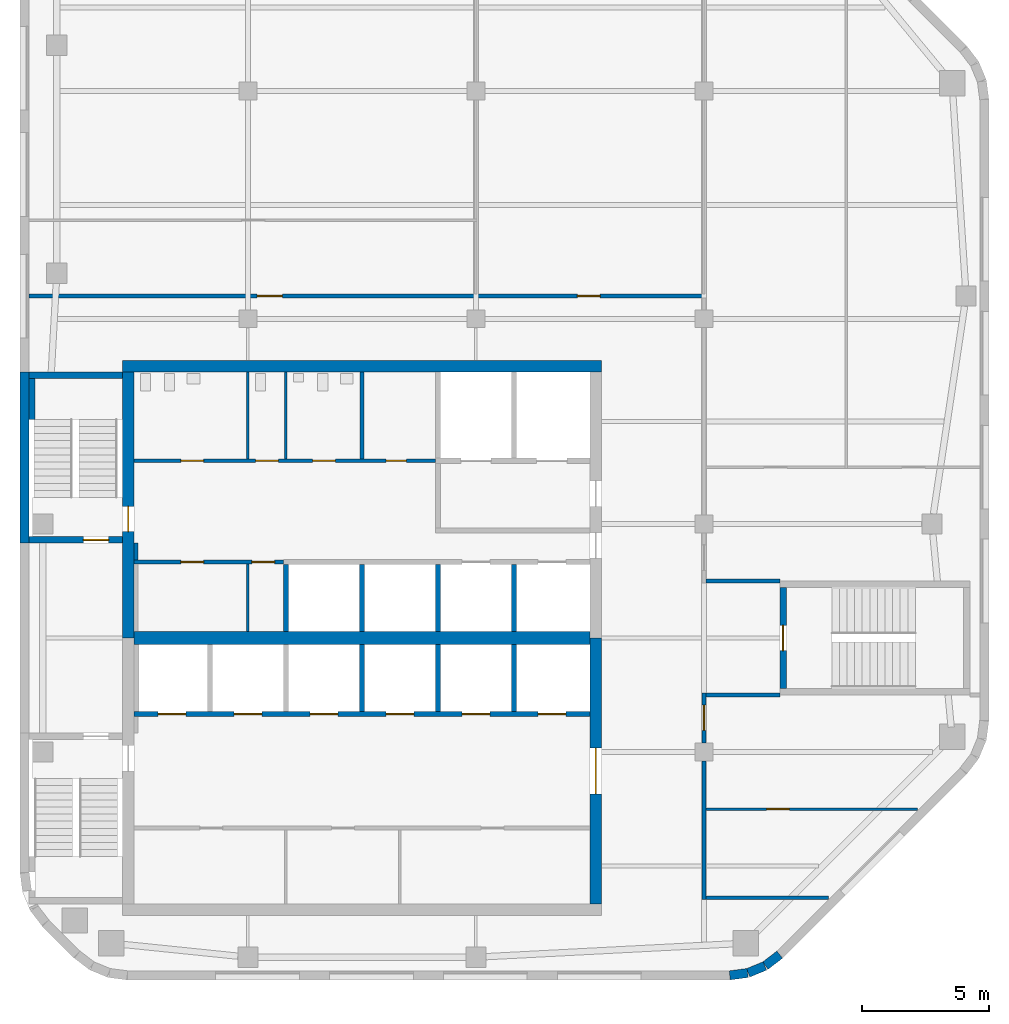
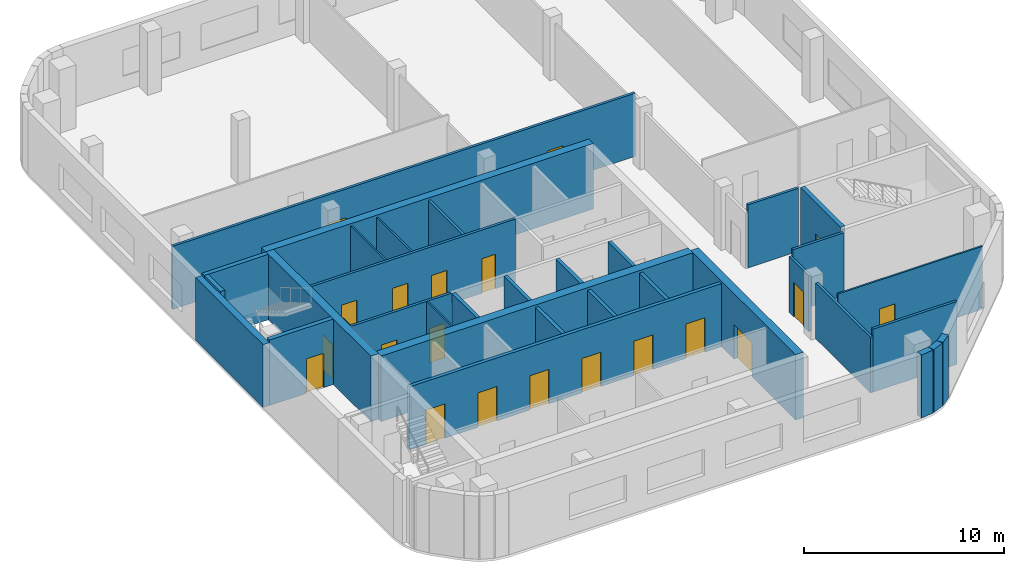
# One storey, part 3 of 7: 34 walls, 20 doors, 20 openings.
"""IFC4 building model written with IfcOpenShell, lengths in metres."""

import ifcopenshell
import ifcopenshell.guid

model = None  # the IFC model being written
_history = None  # IfcOwnerHistory: only IFC2X3 demands one
_inside = {}  # id of a spatial element -> (the spatial element, [elements in it])
_under = {}  # id of a project, library or spatial element -> (it, [spatial elements below it])
_declared = {}  # id of a project -> (the project, [libraries it declares])
_typed = {}  # id of a type object -> (the type object, [elements of that type])
_made_of = {}  # id of a material, layer set ... -> (it, [elements and type objects made of it])


def new_model(schema):
    """Start an empty IFC model of exactly this schema.

    Asked for "IFC4X3", IfcOpenShell would pick the latest addendum, in which some entities
    have other attributes; the version numbers below select the first issue.
    IFC2X3 requires an IfcOwnerHistory on every rooted entity: one is made here for all.
    """
    global model, _history
    if schema == "IFC4X3":
        model = ifcopenshell.file(schema_version=(4, 3, 0, 0))
    else:
        model = ifcopenshell.file(schema=schema)
    _inside.clear()
    _under.clear()
    _declared.clear()
    _typed.clear()
    _made_of.clear()
    _history = None
    if model.schema == "IFC2X3":
        org = make("IfcOrganization", Name="unknown")
        user = make(
            "IfcPersonAndOrganization",
            ThePerson=make("IfcPerson", FamilyName="unknown"),
            TheOrganization=org,
        )
        app = make(
            "IfcApplication",
            ApplicationDeveloper=org,
            Version="unknown",
            ApplicationFullName="unknown",
            ApplicationIdentifier="unknown",
        )
        _history = make(
            "IfcOwnerHistory",
            OwningUser=user,
            OwningApplication=app,
            ChangeAction="ADDED",
            CreationDate=0,
        )
    return model


def make(cls, **values):
    """One entity of the class cls with the attributes given. An attribute that is None is left unset."""
    return model.create_entity(
        cls, **{name: value for name, value in values.items() if value is not None}
    )


def rooted(cls, **values):
    """An entity with a GlobalId (a new one), such as an element, a storey or a relation."""
    return make(cls, GlobalId=ifcopenshell.guid.new(), OwnerHistory=_history, **values)


def si_unit(unit_type, name, prefix=None):
    """IfcSIUnit, for example si_unit("LENGTHUNIT", "METRE", prefix="MILLI")."""
    return make("IfcSIUnit", UnitType=unit_type, Prefix=prefix, Name=name)


def assignment(units):
    """IfcUnitAssignment: the units of a project."""
    return None if units is None else make("IfcUnitAssignment", Units=units)


def point(xyz):
    """IfcCartesianPoint."""
    return None if xyz is None else make("IfcCartesianPoint", Coordinates=xyz)


def direction(xyz):
    """IfcDirection."""
    return None if xyz is None else make("IfcDirection", DirectionRatios=xyz)


def frame(location, z_axis=None, x_axis=None):
    """IfcAxis2Placement3D, a coordinate frame: its origin and axes. An axis left out is left unset."""
    return make(
        "IfcAxis2Placement3D",
        Location=point(location),
        Axis=direction(z_axis),
        RefDirection=direction(x_axis),
    )


def frame_2d(location, x_axis=None):
    """IfcAxis2Placement2D, a coordinate frame in the plane: its origin and x axis."""
    return make(
        "IfcAxis2Placement2D", Location=point(location), RefDirection=direction(x_axis)
    )


def origin():
    """The frame at (0, 0, 0) with its axes left unset."""
    return frame((0.0, 0.0, 0.0))


def place(relative_to, where):
    """IfcLocalPlacement: puts the frame where relative to a parent placement (None: the world)."""
    return make(
        "IfcLocalPlacement", PlacementRelTo=relative_to, RelativePlacement=where
    )


def context(
    kind, dimensions, precision=None, world=None, true_north=None, identifier=None
):
    """IfcGeometricRepresentationContext, for example the 3D "Model" context."""
    return make(
        "IfcGeometricRepresentationContext",
        ContextIdentifier=identifier,
        ContextType=kind,
        CoordinateSpaceDimension=dimensions,
        Precision=precision,
        WorldCoordinateSystem=world,
        TrueNorth=true_north,
    )


def subcontext(parent, identifier, kind, view, scale=None):
    """IfcGeometricRepresentationSubContext, for example "Body" below "Model"."""
    return make(
        "IfcGeometricRepresentationSubContext",
        ContextIdentifier=identifier,
        ContextType=kind,
        ParentContext=parent,
        TargetScale=scale,
        TargetView=view,
    )


def project(units=None, contexts=None):
    """IfcProject with its units and contexts."""
    return rooted(
        "IfcProject",
        Name="project",
        RepresentationContexts=contexts,
        UnitsInContext=assignment(units),
    )


def spatial(cls, under=None, at=None, **own):
    """A site, building, storey or space (cls), placed at a placement, below another one or the project."""
    s = rooted(cls, ObjectPlacement=at, **own)
    if under is not None:
        _under.setdefault(under.id(), (under, []))[1].append(s)
    return s


def profile(cls, at=None, kind="AREA", **sizes):
    """A parametric profile (cls). Its sizes go by their IFC names, for example OverallWidth=200.0."""
    return make(cls, ProfileType=kind, Position=at, **sizes)


def rectangle(**sizes):
    """IfcRectangleProfileDef."""
    return profile("IfcRectangleProfileDef", **sizes)


def extrude(swept, where, along, depth):
    """IfcExtrudedAreaSolid: the profile swept, set in the frame where, extruded along a direction by depth."""
    return make(
        "IfcExtrudedAreaSolid",
        SweptArea=swept,
        Position=where,
        ExtrudedDirection=direction(along),
        Depth=depth,
    )


def shape(context_of_items, identifier, shape_type, items):
    """IfcShapeRepresentation: the items that make up one representation, for example the "Body"."""
    return make(
        "IfcShapeRepresentation",
        ContextOfItems=context_of_items,
        RepresentationIdentifier=identifier,
        RepresentationType=shape_type,
        Items=items,
    )


def material(Name=None, Category=None):
    """IfcMaterial."""
    return make("IfcMaterial", Name=Name, Category=Category)


def layer(
    of_material, thickness, ventilated=None, Name=None, Category=None, Priority=None
):
    """IfcMaterialLayer: one layer of a wall or slab, of a material (None: an air gap)."""
    return make(
        "IfcMaterialLayer",
        Material=of_material,
        LayerThickness=thickness,
        IsVentilated=ventilated,
        Name=Name,
        Category=Category,
        Priority=Priority,
    )


def layer_set(layers, Name=None):
    """IfcMaterialLayerSet."""
    return make("IfcMaterialLayerSet", MaterialLayers=layers, LayerSetName=Name)


def made_of(thing, what):
    """Note that an element or type object is made of a material, layer set ...; save() writes the relation."""
    if what is not None:
        _made_of.setdefault(what.id(), (what, []))[1].append(thing)
    return thing


def type_object(cls, material=None, **own):
    """A type object (cls), such as IfcWallType, which elements share."""
    return made_of(rooted(cls, **own), material)


def element(
    cls,
    number,
    at=None,
    inside=None,
    cuts=None,
    type_object=None,
    material=None,
    context=None,
    identifier="Body",
    shape_type=None,
    held_by="IfcProductDefinitionShape",
    body=None,
    shapes=None,
    **own,
):
    """One element of the class cls, such as IfcWall. Its Tag is "e" and its number.

    at: its placement. inside: the storey or other place that contains it. cuts: it is an
    opening in that element (IfcRelVoidsElement). A single representation is given by context,
    identifier, shape_type and body (its items); several are given by shapes. held_by: the class
    of the entity that holds the representations. save() writes the other relations.
    """
    e = rooted(cls, Tag="e%d" % number, ObjectPlacement=at, **own)
    if body is not None:
        shapes = [shape(context, identifier, shape_type, body)]
    if shapes is not None:
        e.Representation = make(held_by, Representations=shapes)
    if inside is not None:
        _inside.setdefault(inside.id(), (inside, []))[1].append(e)
    if cuts is not None:
        rooted(
            "IfcRelVoidsElement", RelatingBuildingElement=cuts, RelatedOpeningElement=e
        )
    if type_object is not None:
        _typed.setdefault(type_object.id(), (type_object, []))[1].append(e)
    return made_of(e, material)


def fill(opening, filler):
    """IfcRelFillsElement: the door or window that sits in an opening."""
    return rooted(
        "IfcRelFillsElement",
        RelatingOpeningElement=opening,
        RelatedBuildingElement=filler,
    )


def aggregate(whole, parts):
    """IfcRelAggregates: a whole, such as a stair, and the parts it consists of."""
    return rooted("IfcRelAggregates", RelatingObject=whole, RelatedObjects=parts)


def save(model, path):
    """Write the relations noted so far, then the file.

    IfcRelAggregates (storeys below a building ...), IfcRelContainedInSpatialStructure (elements
    in a storey), IfcRelDefinesByType, IfcRelAssociatesMaterial and IfcRelDeclares: one each for
    every whole, place, type object, material and project.
    """
    for whole, parts in _under.values():
        aggregate(whole, parts)
    for where, things in _inside.values():
        rooted(
            "IfcRelContainedInSpatialStructure",
            RelatedElements=things,
            RelatingStructure=where,
        )
    for kind, things in _typed.values():
        rooted("IfcRelDefinesByType", RelatedObjects=things, RelatingType=kind)
    for what, things in _made_of.values():
        rooted("IfcRelAssociatesMaterial", RelatedObjects=things, RelatingMaterial=what)
    for by, libraries in _declared.values():
        rooted("IfcRelDeclares", RelatingContext=by, RelatedDefinitions=libraries)
    model.write(path)


model = new_model("IFC4")

# Units and contexts
model_context = context("Model", 3, precision=1e-05, world=origin(), true_north=direction((0.0, 1.0)))
body_context = subcontext(model_context, "Body", "Model", "MODEL_VIEW")
ifc_project = project(units=[si_unit("LENGTHUNIT", "METRE"), si_unit("AREAUNIT", "SQUARE_METRE"), si_unit("VOLUMEUNIT", "CUBIC_METRE"), si_unit("PLANEANGLEUNIT", "RADIAN"), si_unit("MASSUNIT", "GRAM", prefix="KILO")], contexts=[model_context])

# Site, building, storey
site_placement = place(None, origin())
site = spatial("IfcSite", under=ifc_project, at=site_placement, CompositionType="ELEMENT")
building_placement = place(site_placement, origin())
building = spatial("IfcBuilding", under=site, at=building_placement, Name="Cinnabar Reach Civic Tower", CompositionType="ELEMENT")
storey_placement = place(building_placement, frame((0.0, 0.0, 251.0)))
storey = spatial("IfcBuildingStorey", under=building, at=storey_placement, Name="L60", CompositionType="ELEMENT", Elevation=251.0)

# Walls
ifc_material_1 = material(Name="Facing brick with insulated backing", Category="masonry")
ifc_layer_1 = layer(ifc_material_1, 0.36)
ifc_layer_set_1 = layer_set([ifc_layer_1], Name="Brick corner wall")
wall_type_1 = type_object("IfcWallType", Name="Brick corner wall", PredefinedType="STANDARD", material=ifc_layer_set_1)
for number, where, z_axis, x_axis, name in (
    (1, (28.0186, 18.183, 0.0), (0.0, 0.0, 1.0), (0.99144092581, 0.13055608231, 0.0), "Brick corner wall"),
    (2, (28.7473, 18.2819, 0.0), (0.0, 0.0, 1.0), (0.923871547278, 0.382702709855, 0.0), "Brick corner wall"),
):
    element("IfcWall", number, at=place(storey_placement, frame(where, z_axis=z_axis, x_axis=x_axis)), inside=storey, type_object=wall_type_1, Name=name, PredefinedType="STANDARD", context=body_context, shape_type="SweptSolid", body=[
        extrude(rectangle(XDim=0.7131, YDim=0.36, at=frame_2d((0.3565, 0.0))), origin(), (0.0, 0.0, 1.0), 3.85),
    ])
wall_1_placement = place(storey_placement, frame((29.4255, 18.566, 0.0), z_axis=(0.0, 0.0, 1.0), x_axis=(0.793321924995, 0.608802368033, 0.0)))
element("IfcWall", 3, at=wall_1_placement, inside=storey, type_object=wall_type_1, Name="Brick corner wall", PredefinedType="STANDARD", context=body_context, shape_type="SweptSolid", body=[
    extrude(rectangle(XDim=0.7132, YDim=0.36, at=frame_2d((0.3566, 0.0))), origin(), (0.0, 0.0, 1.0), 3.85),
])
ifc_layer_2 = layer(ifc_material_1, 0.36)
ifc_layer_set_2 = layer_set([ifc_layer_2], Name="Brick pier and spandrel wall")
wall_type_2 = type_object("IfcWallType", Name="Brick pier and spandrel wall", PredefinedType="STANDARD", material=ifc_layer_set_2)
wall_2_placement = place(storey_placement, frame((0.18, 42.0, 0.0), z_axis=(0.0, 0.0, 1.0), x_axis=(0.0, -1.0, 0.0)))
element("IfcWall", 4, at=wall_2_placement, inside=storey, type_object=wall_type_2, Name="Brick facade wall", PredefinedType="STANDARD", context=body_context, shape_type="SweptSolid", body=[
    extrude(rectangle(XDim=6.75, YDim=0.36, at=frame_2d((3.375, 0.0))), origin(), (0.0, 0.0, 1.0), 3.85),
])
ifc_material_2 = material(Name="Concrete C60", Category="concrete")
ifc_layer_3 = layer(ifc_material_2, 0.45)
ifc_layer_set_3 = layer_set([ifc_layer_3], Name="Core wall 450 EI 180")
wall_type_3 = type_object("IfcWallType", Name="Core wall 450 EI 180", PredefinedType="SOLIDWALL", material=ifc_layer_set_3)
wall_3_placement = place(storey_placement, frame((22.95, 42.225, 0.0), z_axis=(0.0, 0.0, 1.0), x_axis=(-1.0, 0.0, 0.0)))
element("IfcWall", 5, at=wall_3_placement, inside=storey, type_object=wall_type_3, Name="Core wall T1 L60 N", PredefinedType="SOLIDWALL", context=body_context, shape_type="SweptSolid", body=[
    extrude(rectangle(XDim=18.9, YDim=0.45, at=frame_2d((9.45, 0.0))), origin(), (0.0, 0.0, 1.0), 4.0),
])

# Wall, opening, door
wall_4_placement = place(storey_placement, frame((22.725, 21.0, 0.0), z_axis=(0.0, 0.0, 1.0), x_axis=(0.0, 1.0, 0.0)))
wall_4 = element("IfcWall", 6, at=wall_4_placement, inside=storey, type_object=wall_type_3, Name="Core wall T1 L60 E", PredefinedType="SOLIDWALL", context=body_context, shape_type="SweptSolid", body=[
    extrude(rectangle(XDim=10.5, YDim=0.45, at=frame_2d((5.25, 0.0))), origin(), (0.0, 0.0, 1.0), 4.0),
])
opening_1_placement = place(wall_4_placement, frame((4.35, 0.0, 0.0)))
opening_1 = element("IfcOpeningElement", 7, at=opening_1_placement, cuts=wall_4, Name="Opening D5421", PredefinedType="OPENING", context=body_context, shape_type="SweptSolid", body=[
    extrude(rectangle(XDim=1.8, YDim=2.1, at=frame_2d((0.9, 1.05))), frame((0.0, 0.235, 0.0), z_axis=(0.0, -1.0, 0.0), x_axis=(1.0, 0.0, 0.0)), (0.0, 0.0, 1.0), 0.47),
])
ifc_material_3 = material(Name="Timber door leaf in steel frame", Category="steel")
door_type_1 = type_object("IfcDoorType", Name="Double swing door 1800 x 2100 T1", OperationType="DOUBLE_DOOR_DOUBLE_SWING", PredefinedType="DOOR", material=ifc_material_3)
door_1_placement = place(opening_1_placement, origin())
door_1 = element("IfcDoor", 8, at=door_1_placement, inside=storey, type_object=door_type_1, Name="Door D5421", OperationType="DOUBLE_DOOR_DOUBLE_SWING", OverallHeight=2.1, OverallWidth=1.8, PredefinedType="DOOR", context=body_context, shape_type="SweptSolid", body=[
    extrude(rectangle(XDim=1.8, YDim=2.1, at=frame_2d((0.9, 1.05))), frame((0.0, 0.025, 0.0), z_axis=(0.0, -1.0, 0.0), x_axis=(1.0, 0.0, 0.0)), (0.0, 0.0, 1.0), 0.05),
])
fill(opening_1, door_1)

wall_5_placement = place(storey_placement, frame((4.275, 42.0, 0.0), z_axis=(0.0, 0.0, 1.0), x_axis=(0.0, -1.0, 0.0)))
wall_5 = element("IfcWall", 9, at=wall_5_placement, inside=storey, type_object=wall_type_3, Name="Core wall T1 L60 W", PredefinedType="SOLIDWALL", context=body_context, shape_type="SweptSolid", body=[
    extrude(rectangle(XDim=10.5, YDim=0.45, at=frame_2d((5.25, 0.0))), origin(), (0.0, 0.0, 1.0), 4.0),
])
opening_2_placement = place(wall_5_placement, frame((5.3, 0.0, 0.0)))
opening_2 = element("IfcOpeningElement", 10, at=opening_2_placement, cuts=wall_5, Name="Opening D5409", PredefinedType="OPENING", context=body_context, shape_type="SweptSolid", body=[
    extrude(rectangle(XDim=1.0, YDim=2.1, at=frame_2d((0.5, 1.05))), frame((0.0, 0.235, 0.0), z_axis=(0.0, -1.0, 0.0), x_axis=(1.0, 0.0, 0.0)), (0.0, 0.0, 1.0), 0.47),
])
door_type_2 = type_object("IfcDoorType", Name="Stair door 1000 x 2100 T1", OperationType="SINGLE_SWING_LEFT", PredefinedType="DOOR", material=ifc_material_3)
door_2_placement = place(opening_2_placement, frame((1.0, 0.0, 0.0), z_axis=(0.0, 0.0, 1.0), x_axis=(-1.0, 0.0, 0.0)))
door_2 = element("IfcDoor", 11, at=door_2_placement, inside=storey, type_object=door_type_2, Name="Door D5409", OperationType="SINGLE_SWING_LEFT", OverallHeight=2.1, OverallWidth=1.0, PredefinedType="DOOR", context=body_context, shape_type="SweptSolid", body=[
    extrude(rectangle(XDim=1.0, YDim=2.1, at=frame_2d((0.5, 1.05))), frame((0.0, 0.025, 0.0), z_axis=(0.0, -1.0, 0.0), x_axis=(1.0, 0.0, 0.0)), (0.0, 0.0, 1.0), 0.05),
])
fill(opening_2, door_2)

# Wall
ifc_layer_4 = layer(ifc_material_2, 0.5)
ifc_layer_set_4 = layer_set([ifc_layer_4], Name="Core wall 500 EI 180")
wall_type_4 = type_object("IfcWallType", Name="Core wall 500 EI 180", PredefinedType="SOLIDWALL", material=ifc_layer_set_4)
wall_6_placement = place(storey_placement, frame((4.5, 31.5, 0.0), z_axis=(0.0, 0.0, 1.0), x_axis=(1.0, 0.0, 0.0)))
element("IfcWall", 12, at=wall_6_placement, inside=storey, type_object=wall_type_4, Name="Core spine wall T1 L60", PredefinedType="SOLIDWALL", context=body_context, shape_type="SweptSolid", body=[
    extrude(rectangle(XDim=18.0, YDim=0.5, at=frame_2d((9.0, 0.0))), origin(), (0.0, 0.0, 1.0), 4.0),
])

# Wall, openings, doors
ifc_material_4 = material(Name="Gypsum board on steel studs, double layer", Category="steel")
ifc_layer_5 = layer(ifc_material_4, 0.15)
ifc_layer_set_5 = layer_set([ifc_layer_5], Name="Corridor wall 150 T1")
wall_type_5 = type_object("IfcWallType", Name="Corridor wall 150 T1", PredefinedType="PARTITIONING", material=ifc_layer_set_5)
wall_7_placement = place(storey_placement, frame((0.36, 45.0, 0.0), z_axis=(0.0, 0.0, 1.0), x_axis=(1.0, 0.0, 0.0)))
wall_7 = element("IfcWall", 13, at=wall_7_placement, inside=storey, type_object=wall_type_5, Name="Corridor wall 18", PredefinedType="PARTITIONING", context=body_context, shape_type="SweptSolid", body=[
    extrude(rectangle(XDim=26.715, YDim=0.15, at=frame_2d((13.3575, 0.0))), origin(), (0.0, 0.0, 1.0), 3.85),
])
opening_3_placement = place(wall_7_placement, frame((9.0, 0.0, 0.0)))
opening_3 = element("IfcOpeningElement", 14, at=opening_3_placement, cuts=wall_7, Name="Opening D5439", PredefinedType="OPENING", context=body_context, shape_type="SweptSolid", body=[
    extrude(rectangle(XDim=1.0, YDim=2.1, at=frame_2d((0.5, 1.05))), frame((0.0, 0.085, 0.0), z_axis=(0.0, -1.0, 0.0), x_axis=(1.0, 0.0, 0.0)), (0.0, 0.0, 1.0), 0.17),
])
opening_4_placement = place(wall_7_placement, frame((21.64, 0.0, 0.0)))
opening_4 = element("IfcOpeningElement", 15, at=opening_4_placement, cuts=wall_7, Name="Opening D5441", PredefinedType="OPENING", context=body_context, shape_type="SweptSolid", body=[
    extrude(rectangle(XDim=0.9, YDim=2.1, at=frame_2d((0.45, 1.05))), frame((0.0, 0.085, 0.0), z_axis=(0.0, -1.0, 0.0), x_axis=(1.0, 0.0, 0.0)), (0.0, 0.0, 1.0), 0.17),
])
door_type_3 = type_object("IfcDoorType", Name="Single swing door 900 x 2100 corridor T1", OperationType="SINGLE_SWING_LEFT", PredefinedType="DOOR", material=ifc_material_3)
door_3_placement = place(opening_4_placement, origin())
door_3 = element("IfcDoor", 16, at=door_3_placement, inside=storey, type_object=door_type_3, Name="Door D5441", OperationType="SINGLE_SWING_RIGHT", OverallHeight=2.1, OverallWidth=0.9, PredefinedType="DOOR", context=body_context, shape_type="SweptSolid", body=[
    extrude(rectangle(XDim=0.9, YDim=2.1, at=frame_2d((0.45, 1.05))), frame((0.0, 0.025, 0.0), z_axis=(0.0, -1.0, 0.0), x_axis=(1.0, 0.0, 0.0)), (0.0, 0.0, 1.0), 0.05),
])
fill(opening_4, door_3)
door_type_4 = type_object("IfcDoorType", Name="Tenancy entrance door 1000 x 2100 T1", OperationType="SINGLE_SWING_LEFT", PredefinedType="DOOR", material=ifc_material_3)
door_4_placement = place(opening_3_placement, origin())
door_4 = element("IfcDoor", 17, at=door_4_placement, inside=storey, type_object=door_type_4, Name="Door D5439", OperationType="SINGLE_SWING_LEFT", OverallHeight=2.1, OverallWidth=1.0, PredefinedType="DOOR", context=body_context, shape_type="SweptSolid", body=[
    extrude(rectangle(XDim=1.0, YDim=2.1, at=frame_2d((0.5, 1.05))), frame((0.0, 0.025, 0.0), z_axis=(0.0, -1.0, 0.0), x_axis=(1.0, 0.0, 0.0)), (0.0, 0.0, 1.0), 0.05),
])
fill(opening_3, door_4)

wall_8_placement = place(storey_placement, frame((4.5, 38.5, 0.0), z_axis=(0.0, 0.0, 1.0), x_axis=(1.0, 0.0, 0.0)))
wall_8 = element("IfcWall", 18, at=wall_8_placement, inside=storey, type_object=wall_type_5, Name="Corridor wall 20", PredefinedType="PARTITIONING", context=body_context, shape_type="SweptSolid", body=[
    extrude(rectangle(XDim=11.9, YDim=0.15, at=frame_2d((5.95, 0.0))), origin(), (0.0, 0.0, 1.0), 3.85),
])
opening_5_placement = place(wall_8_placement, frame((1.85, 0.0, 0.0)))
opening_5 = element("IfcOpeningElement", 19, at=opening_5_placement, cuts=wall_8, Name="Opening D5430", PredefinedType="OPENING", context=body_context, shape_type="SweptSolid", body=[
    extrude(rectangle(XDim=0.9, YDim=2.1, at=frame_2d((0.45, 1.05))), frame((0.0, 0.085, 0.0), z_axis=(0.0, -1.0, 0.0), x_axis=(1.0, 0.0, 0.0)), (0.0, 0.0, 1.0), 0.17),
])
opening_6_placement = place(wall_8_placement, frame((4.8, 0.0, 0.0)))
opening_6 = element("IfcOpeningElement", 20, at=opening_6_placement, cuts=wall_8, Name="Opening D5431", PredefinedType="OPENING", context=body_context, shape_type="SweptSolid", body=[
    extrude(rectangle(XDim=0.9, YDim=2.1, at=frame_2d((0.45, 1.05))), frame((0.0, 0.085, 0.0), z_axis=(0.0, -1.0, 0.0), x_axis=(1.0, 0.0, 0.0)), (0.0, 0.0, 1.0), 0.17),
])
opening_7_placement = place(wall_8_placement, frame((7.05, 0.0, 0.0)))
opening_7 = element("IfcOpeningElement", 21, at=opening_7_placement, cuts=wall_8, Name="Opening D5432", PredefinedType="OPENING", context=body_context, shape_type="SweptSolid", body=[
    extrude(rectangle(XDim=0.9, YDim=2.1, at=frame_2d((0.45, 1.05))), frame((0.0, 0.085, 0.0), z_axis=(0.0, -1.0, 0.0), x_axis=(1.0, 0.0, 0.0)), (0.0, 0.0, 1.0), 0.17),
])
opening_8_placement = place(wall_8_placement, frame((9.95, 0.0, 0.0)))
opening_8 = element("IfcOpeningElement", 22, at=opening_8_placement, cuts=wall_8, Name="Opening D5433", PredefinedType="OPENING", context=body_context, shape_type="SweptSolid", body=[
    extrude(rectangle(XDim=0.8, YDim=2.1, at=frame_2d((0.4, 1.05))), frame((0.0, 0.085, 0.0), z_axis=(0.0, -1.0, 0.0), x_axis=(1.0, 0.0, 0.0)), (0.0, 0.0, 1.0), 0.17),
])
door_type_5 = type_object("IfcDoorType", Name="Riser access door 800 x 2100 T1", OperationType="SINGLE_SWING_LEFT", PredefinedType="DOOR", material=ifc_material_3)
door_5_placement = place(opening_8_placement, origin())
door_5 = element("IfcDoor", 23, at=door_5_placement, inside=storey, type_object=door_type_5, Name="Door D5433", OperationType="SINGLE_SWING_RIGHT", OverallHeight=2.1, OverallWidth=0.8, PredefinedType="DOOR", context=body_context, shape_type="SweptSolid", body=[
    extrude(rectangle(XDim=0.8, YDim=2.1, at=frame_2d((0.4, 1.05))), frame((0.0, 0.025, 0.0), z_axis=(0.0, -1.0, 0.0), x_axis=(1.0, 0.0, 0.0)), (0.0, 0.0, 1.0), 0.05),
])
fill(opening_8, door_5)
door_6_placement = place(opening_5_placement, origin())
door_6 = element("IfcDoor", 24, at=door_6_placement, inside=storey, type_object=door_type_3, Name="Door D5430", OperationType="SINGLE_SWING_RIGHT", OverallHeight=2.1, OverallWidth=0.9, PredefinedType="DOOR", context=body_context, shape_type="SweptSolid", body=[
    extrude(rectangle(XDim=0.9, YDim=2.1, at=frame_2d((0.45, 1.05))), frame((0.0, 0.025, 0.0), z_axis=(0.0, -1.0, 0.0), x_axis=(1.0, 0.0, 0.0)), (0.0, 0.0, 1.0), 0.05),
])
fill(opening_5, door_6)
door_7_placement = place(opening_6_placement, origin())
door_7 = element("IfcDoor", 25, at=door_7_placement, inside=storey, type_object=door_type_3, Name="Door D5431", OperationType="SINGLE_SWING_LEFT", OverallHeight=2.1, OverallWidth=0.9, PredefinedType="DOOR", context=body_context, shape_type="SweptSolid", body=[
    extrude(rectangle(XDim=0.9, YDim=2.1, at=frame_2d((0.45, 1.05))), frame((0.0, 0.025, 0.0), z_axis=(0.0, -1.0, 0.0), x_axis=(1.0, 0.0, 0.0)), (0.0, 0.0, 1.0), 0.05),
])
fill(opening_6, door_7)
door_8_placement = place(opening_7_placement, origin())
door_8 = element("IfcDoor", 26, at=door_8_placement, inside=storey, type_object=door_type_3, Name="Door D5432", OperationType="SINGLE_SWING_LEFT", OverallHeight=2.1, OverallWidth=0.9, PredefinedType="DOOR", context=body_context, shape_type="SweptSolid", body=[
    extrude(rectangle(XDim=0.9, YDim=2.1, at=frame_2d((0.45, 1.05))), frame((0.0, 0.025, 0.0), z_axis=(0.0, -1.0, 0.0), x_axis=(1.0, 0.0, 0.0)), (0.0, 0.0, 1.0), 0.05),
])
fill(opening_7, door_8)

# Wall
wall_9_placement = place(storey_placement, frame((27.0, 21.175, 0.0), z_axis=(0.0, 0.0, 1.0), x_axis=(0.0, 1.0, 0.0)))
element("IfcWall", 27, at=wall_9_placement, inside=storey, type_object=wall_type_5, Name="Corridor wall 24", PredefinedType="PARTITIONING", context=body_context, shape_type="SweptSolid", body=[
    extrude(rectangle(XDim=5.475, YDim=0.15, at=frame_2d((2.7375, 0.0))), origin(), (0.0, 0.0, 1.0), 3.4),
])

# Wall, opening, door
wall_10_placement = place(storey_placement, frame((27.0, 27.35, 0.0), z_axis=(0.0, 0.0, 1.0), x_axis=(0.0, 1.0, 0.0)))
wall_10 = element("IfcWall", 28, at=wall_10_placement, inside=storey, type_object=wall_type_5, Name="Corridor wall 25", PredefinedType="PARTITIONING", context=body_context, shape_type="SweptSolid", body=[
    extrude(rectangle(XDim=1.975, YDim=0.15, at=frame_2d((0.9875, 0.0))), origin(), (0.0, 0.0, 1.0), 3.4),
])
opening_9_placement = place(wall_10_placement, frame((0.5, 0.0, 0.0)))
opening_9 = element("IfcOpeningElement", 29, at=opening_9_placement, cuts=wall_10, Name="Opening D5437", PredefinedType="OPENING", context=body_context, shape_type="SweptSolid", body=[
    extrude(rectangle(XDim=1.0, YDim=2.1, at=frame_2d((0.5, 1.05))), frame((0.0, 0.085, 0.0), z_axis=(0.0, -1.0, 0.0), x_axis=(1.0, 0.0, 0.0)), (0.0, 0.0, 1.0), 0.17),
])
door_9_placement = place(opening_9_placement, frame((1.0, 0.0, 0.0), z_axis=(0.0, 0.0, 1.0), x_axis=(-1.0, 0.0, 0.0)))
door_9 = element("IfcDoor", 30, at=door_9_placement, inside=storey, type_object=door_type_4, Name="Door D5437", OperationType="SINGLE_SWING_LEFT", OverallHeight=2.1, OverallWidth=1.0, PredefinedType="DOOR", context=body_context, shape_type="SweptSolid", body=[
    extrude(rectangle(XDim=1.0, YDim=2.1, at=frame_2d((0.5, 1.05))), frame((0.0, 0.025, 0.0), z_axis=(0.0, -1.0, 0.0), x_axis=(1.0, 0.0, 0.0)), (0.0, 0.0, 1.0), 0.05),
])
fill(opening_9, door_9)

# Wall, openings, doors
wall_11_placement = place(storey_placement, frame((4.5, 34.5, 0.0), z_axis=(0.0, 0.0, 1.0), x_axis=(1.0, 0.0, 0.0)))
wall_11 = element("IfcWall", 31, at=wall_11_placement, inside=storey, type_object=wall_type_5, Name="Corridor wall 26", PredefinedType="PARTITIONING", context=body_context, shape_type="SweptSolid", body=[
    extrude(rectangle(XDim=5.9, YDim=0.15, at=frame_2d((2.95, 0.0))), origin(), (0.0, 0.0, 1.0), 3.85),
])
opening_10_placement = place(wall_11_placement, frame((1.85, 0.0, 0.0)))
opening_10 = element("IfcOpeningElement", 32, at=opening_10_placement, cuts=wall_11, Name="Opening D5428", PredefinedType="OPENING", context=body_context, shape_type="SweptSolid", body=[
    extrude(rectangle(XDim=0.9, YDim=2.1, at=frame_2d((0.45, 1.05))), frame((0.0, 0.085, 0.0), z_axis=(0.0, -1.0, 0.0), x_axis=(1.0, 0.0, 0.0)), (0.0, 0.0, 1.0), 0.17),
])
opening_11_placement = place(wall_11_placement, frame((4.65, 0.0, 0.0)))
opening_11 = element("IfcOpeningElement", 33, at=opening_11_placement, cuts=wall_11, Name="Opening D5429", PredefinedType="OPENING", context=body_context, shape_type="SweptSolid", body=[
    extrude(rectangle(XDim=0.9, YDim=2.1, at=frame_2d((0.45, 1.05))), frame((0.0, 0.085, 0.0), z_axis=(0.0, -1.0, 0.0), x_axis=(1.0, 0.0, 0.0)), (0.0, 0.0, 1.0), 0.17),
])
door_10_placement = place(opening_10_placement, frame((0.9, 0.0, 0.0), z_axis=(0.0, 0.0, 1.0), x_axis=(-1.0, 0.0, 0.0)))
door_10 = element("IfcDoor", 34, at=door_10_placement, inside=storey, type_object=door_type_3, Name="Door D5428", OperationType="SINGLE_SWING_RIGHT", OverallHeight=2.1, OverallWidth=0.9, PredefinedType="DOOR", context=body_context, shape_type="SweptSolid", body=[
    extrude(rectangle(XDim=0.9, YDim=2.1, at=frame_2d((0.45, 1.05))), frame((0.0, 0.025, 0.0), z_axis=(0.0, -1.0, 0.0), x_axis=(1.0, 0.0, 0.0)), (0.0, 0.0, 1.0), 0.05),
])
fill(opening_10, door_10)
door_11_placement = place(opening_11_placement, frame((0.9, 0.0, 0.0), z_axis=(0.0, 0.0, 1.0), x_axis=(-1.0, 0.0, 0.0)))
door_11 = element("IfcDoor", 35, at=door_11_placement, inside=storey, type_object=door_type_3, Name="Door D5429", OperationType="SINGLE_SWING_RIGHT", OverallHeight=2.1, OverallWidth=0.9, PredefinedType="DOOR", context=body_context, shape_type="SweptSolid", body=[
    extrude(rectangle(XDim=0.9, YDim=2.1, at=frame_2d((0.45, 1.05))), frame((0.0, 0.025, 0.0), z_axis=(0.0, -1.0, 0.0), x_axis=(1.0, 0.0, 0.0)), (0.0, 0.0, 1.0), 0.05),
])
fill(opening_11, door_11)

# Walls
wall_12_placement = place(storey_placement, frame((27.075, 21.25, 0.0), z_axis=(0.0, 0.0, 1.0), x_axis=(1.0, 0.0, 0.0)))
element("IfcWall", 36, at=wall_12_placement, inside=storey, type_object=wall_type_5, Name="Corridor wall 27", PredefinedType="PARTITIONING", context=body_context, shape_type="SweptSolid", body=[
    extrude(rectangle(XDim=4.841, YDim=0.15, at=frame_2d((2.4205, 0.0))), origin(), (0.0, 0.0, 1.0), 3.85),
])
wall_13_placement = place(storey_placement, frame((4.575, 34.575, 0.0), z_axis=(0.0, 0.0, 1.0), x_axis=(0.0, 1.0, 0.0)))
element("IfcWall", 37, at=wall_13_placement, inside=storey, type_object=wall_type_5, Name="Corridor wall 28", PredefinedType="PARTITIONING", context=body_context, shape_type="SweptSolid", body=[
    extrude(rectangle(XDim=0.675, YDim=0.15, at=frame_2d((0.3375, 0.0))), origin(), (0.0, 0.0, 1.0), 3.85),
])
for number, where, z_axis, x_axis, name in (
    (38, (27.075, 29.25, 0.0), (0.0, 0.0, 1.0), (1.0, 0.0, 0.0), "Corridor wall 30"),
    (39, (27.075, 33.75, 0.0), (0.0, 0.0, 1.0), (1.0, 0.0, 0.0), "Corridor wall 31"),
):
    element("IfcWall", number, at=place(storey_placement, frame(where, z_axis=z_axis, x_axis=x_axis)), inside=storey, type_object=wall_type_5, Name=name, PredefinedType="PARTITIONING", context=body_context, shape_type="SweptSolid", body=[
        extrude(rectangle(XDim=2.925, YDim=0.15, at=frame_2d((1.4625, 0.0))), origin(), (0.0, 0.0, 1.0), 3.85),
    ])

# Wall, openings, doors
ifc_material_5 = material(Name="Blockwork", Category="masonry")
ifc_layer_6 = layer(ifc_material_5, 0.2)
ifc_layer_set_6 = layer_set([ifc_layer_6], Name="Lift shaft wall 200 T1")
wall_type_6 = type_object("IfcWallType", Name="Lift shaft wall 200 T1", PredefinedType="PARTITIONING", material=ifc_layer_set_6)
wall_14_placement = place(storey_placement, frame((4.5, 28.5, 0.0), z_axis=(0.0, 0.0, 1.0), x_axis=(1.0, 0.0, 0.0)))
wall_14 = element("IfcWall", 40, at=wall_14_placement, inside=storey, type_object=wall_type_6, Name="Lift shaft wall 4", PredefinedType="PARTITIONING", context=body_context, shape_type="SweptSolid", body=[
    extrude(rectangle(XDim=18.0, YDim=0.2, at=frame_2d((9.0, 0.0))), origin(), (0.0, 0.0, 1.0), 3.85),
])
opening_12_placement = place(wall_14_placement, frame((0.95, 0.0, 0.0)))
opening_12 = element("IfcOpeningElement", 41, at=opening_12_placement, cuts=wall_14, Name="Opening D5411", PredefinedType="OPENING", context=body_context, shape_type="SweptSolid", body=[
    extrude(rectangle(XDim=1.1, YDim=2.1, at=frame_2d((0.55, 1.05))), frame((0.0, 0.11, 0.0), z_axis=(0.0, -1.0, 0.0), x_axis=(1.0, 0.0, 0.0)), (0.0, 0.0, 1.0), 0.22),
])
opening_13_placement = place(wall_14_placement, frame((3.95, 0.0, 0.0)))
opening_13 = element("IfcOpeningElement", 42, at=opening_13_placement, cuts=wall_14, Name="Opening D5412", PredefinedType="OPENING", context=body_context, shape_type="SweptSolid", body=[
    extrude(rectangle(XDim=1.1, YDim=2.1, at=frame_2d((0.55, 1.05))), frame((0.0, 0.11, 0.0), z_axis=(0.0, -1.0, 0.0), x_axis=(1.0, 0.0, 0.0)), (0.0, 0.0, 1.0), 0.22),
])
opening_14_placement = place(wall_14_placement, frame((6.95, 0.0, 0.0)))
opening_14 = element("IfcOpeningElement", 43, at=opening_14_placement, cuts=wall_14, Name="Opening D5413", PredefinedType="OPENING", context=body_context, shape_type="SweptSolid", body=[
    extrude(rectangle(XDim=1.1, YDim=2.1, at=frame_2d((0.55, 1.05))), frame((0.0, 0.11, 0.0), z_axis=(0.0, -1.0, 0.0), x_axis=(1.0, 0.0, 0.0)), (0.0, 0.0, 1.0), 0.22),
])
opening_15_placement = place(wall_14_placement, frame((9.95, 0.0, 0.0)))
opening_15 = element("IfcOpeningElement", 44, at=opening_15_placement, cuts=wall_14, Name="Opening D5414", PredefinedType="OPENING", context=body_context, shape_type="SweptSolid", body=[
    extrude(rectangle(XDim=1.1, YDim=2.1, at=frame_2d((0.55, 1.05))), frame((0.0, 0.11, 0.0), z_axis=(0.0, -1.0, 0.0), x_axis=(1.0, 0.0, 0.0)), (0.0, 0.0, 1.0), 0.22),
])
opening_16_placement = place(wall_14_placement, frame((12.95, 0.0, 0.0)))
opening_16 = element("IfcOpeningElement", 45, at=opening_16_placement, cuts=wall_14, Name="Opening D5415", PredefinedType="OPENING", context=body_context, shape_type="SweptSolid", body=[
    extrude(rectangle(XDim=1.1, YDim=2.1, at=frame_2d((0.55, 1.05))), frame((0.0, 0.11, 0.0), z_axis=(0.0, -1.0, 0.0), x_axis=(1.0, 0.0, 0.0)), (0.0, 0.0, 1.0), 0.22),
])
opening_17_placement = place(wall_14_placement, frame((15.95, 0.0, 0.0)))
opening_17 = element("IfcOpeningElement", 46, at=opening_17_placement, cuts=wall_14, Name="Opening D5416", PredefinedType="OPENING", context=body_context, shape_type="SweptSolid", body=[
    extrude(rectangle(XDim=1.1, YDim=2.1, at=frame_2d((0.55, 1.05))), frame((0.0, 0.11, 0.0), z_axis=(0.0, -1.0, 0.0), x_axis=(1.0, 0.0, 0.0)), (0.0, 0.0, 1.0), 0.22),
])
ifc_material_6 = material(Name="Stainless steel sliding door", Category="steel")
door_type_6 = type_object("IfcDoorType", Name="Lift landing door 1100 x 2100 T1", OperationType="SLIDING_TO_LEFT", PredefinedType="DOOR", material=ifc_material_6)
door_12_placement = place(opening_12_placement, origin())
door_12 = element("IfcDoor", 47, at=door_12_placement, inside=storey, type_object=door_type_6, Name="Lift landing door HR1 L60", OperationType="SLIDING_TO_LEFT", OverallHeight=2.1, OverallWidth=1.1, PredefinedType="DOOR", context=body_context, shape_type="SweptSolid", body=[
    extrude(rectangle(XDim=1.1, YDim=2.1, at=frame_2d((0.55, 1.05))), frame((0.0, 0.025, 0.0), z_axis=(0.0, -1.0, 0.0), x_axis=(1.0, 0.0, 0.0)), (0.0, 0.0, 1.0), 0.05),
])
fill(opening_12, door_12)
door_13_placement = place(opening_13_placement, origin())
door_13 = element("IfcDoor", 48, at=door_13_placement, inside=storey, type_object=door_type_6, Name="Lift landing door HR2 L60", OperationType="SLIDING_TO_LEFT", OverallHeight=2.1, OverallWidth=1.1, PredefinedType="DOOR", context=body_context, shape_type="SweptSolid", body=[
    extrude(rectangle(XDim=1.1, YDim=2.1, at=frame_2d((0.55, 1.05))), frame((0.0, 0.025, 0.0), z_axis=(0.0, -1.0, 0.0), x_axis=(1.0, 0.0, 0.0)), (0.0, 0.0, 1.0), 0.05),
])
fill(opening_13, door_13)
door_14_placement = place(opening_14_placement, origin())
door_14 = element("IfcDoor", 49, at=door_14_placement, inside=storey, type_object=door_type_6, Name="Lift landing door HR3 L60", OperationType="SLIDING_TO_LEFT", OverallHeight=2.1, OverallWidth=1.1, PredefinedType="DOOR", context=body_context, shape_type="SweptSolid", body=[
    extrude(rectangle(XDim=1.1, YDim=2.1, at=frame_2d((0.55, 1.05))), frame((0.0, 0.025, 0.0), z_axis=(0.0, -1.0, 0.0), x_axis=(1.0, 0.0, 0.0)), (0.0, 0.0, 1.0), 0.05),
])
fill(opening_14, door_14)
door_15_placement = place(opening_15_placement, origin())
door_15 = element("IfcDoor", 50, at=door_15_placement, inside=storey, type_object=door_type_6, Name="Lift landing door HR4 L60", OperationType="SLIDING_TO_LEFT", OverallHeight=2.1, OverallWidth=1.1, PredefinedType="DOOR", context=body_context, shape_type="SweptSolid", body=[
    extrude(rectangle(XDim=1.1, YDim=2.1, at=frame_2d((0.55, 1.05))), frame((0.0, 0.025, 0.0), z_axis=(0.0, -1.0, 0.0), x_axis=(1.0, 0.0, 0.0)), (0.0, 0.0, 1.0), 0.05),
])
fill(opening_15, door_15)
door_16_placement = place(opening_16_placement, origin())
door_16 = element("IfcDoor", 51, at=door_16_placement, inside=storey, type_object=door_type_6, Name="Lift landing door HR5 L60", OperationType="SLIDING_TO_LEFT", OverallHeight=2.1, OverallWidth=1.1, PredefinedType="DOOR", context=body_context, shape_type="SweptSolid", body=[
    extrude(rectangle(XDim=1.1, YDim=2.1, at=frame_2d((0.55, 1.05))), frame((0.0, 0.025, 0.0), z_axis=(0.0, -1.0, 0.0), x_axis=(1.0, 0.0, 0.0)), (0.0, 0.0, 1.0), 0.05),
])
fill(opening_16, door_16)
door_17_placement = place(opening_17_placement, origin())
door_17 = element("IfcDoor", 52, at=door_17_placement, inside=storey, type_object=door_type_6, Name="Lift landing door HR6 L60", OperationType="SLIDING_TO_LEFT", OverallHeight=2.1, OverallWidth=1.1, PredefinedType="DOOR", context=body_context, shape_type="SweptSolid", body=[
    extrude(rectangle(XDim=1.1, YDim=2.1, at=frame_2d((0.55, 1.05))), frame((0.0, 0.025, 0.0), z_axis=(0.0, -1.0, 0.0), x_axis=(1.0, 0.0, 0.0)), (0.0, 0.0, 1.0), 0.05),
])
fill(opening_17, door_17)

# Walls
for number, where, z_axis, x_axis, name in (
    (53, (10.5, 31.75, 0.0), (0.0, 0.0, 1.0), (0.0, 1.0, 0.0), "Lift shaft wall 7"),
    (54, (13.5, 28.6, 0.0), (0.0, 0.0, 1.0), (0.0, 1.0, 0.0), "Lift shaft wall 8"),
    (55, (13.5, 31.75, 0.0), (0.0, 0.0, 1.0), (0.0, 1.0, 0.0), "Lift shaft wall 9"),
    (56, (16.5, 28.6, 0.0), (0.0, 0.0, 1.0), (0.0, 1.0, 0.0), "Lift shaft wall 10"),
    (57, (16.5, 31.75, 0.0), (0.0, 0.0, 1.0), (0.0, 1.0, 0.0), "Lift shaft wall 11"),
    (58, (19.5, 28.6, 0.0), (0.0, 0.0, 1.0), (0.0, 1.0, 0.0), "Lift shaft wall 12"),
    (59, (19.5, 31.75, 0.0), (0.0, 0.0, 1.0), (0.0, 1.0, 0.0), "Lift shaft wall 13"),
):
    element("IfcWall", number, at=place(storey_placement, frame(where, z_axis=z_axis, x_axis=x_axis)), inside=storey, type_object=wall_type_6, Name=name, PredefinedType="PARTITIONING", context=body_context, shape_type="SweptSolid", body=[
        extrude(rectangle(XDim=2.65, YDim=0.2, at=frame_2d((1.325, 0.0))), origin(), (0.0, 0.0, 1.0), 3.85),
    ])

# Wall, opening, door
ifc_material_7 = material(Name="Gypsum board on steel studs", Category="steel")
ifc_layer_7 = layer(ifc_material_7, 0.1)
ifc_layer_set_7 = layer_set([ifc_layer_7], Name="Partition wall 100 T1")
wall_type_7 = type_object("IfcWallType", Name="Partition wall 100 T1", PredefinedType="PARTITIONING", material=ifc_layer_set_7)
wall_15_placement = place(storey_placement, frame((27.075, 24.75, 0.0), z_axis=(0.0, 0.0, 1.0), x_axis=(1.0, 0.0, 0.0)))
wall_15 = element("IfcWall", 60, at=wall_15_placement, inside=storey, type_object=wall_type_7, Name="Partition wall 44", PredefinedType="PARTITIONING", context=body_context, shape_type="SweptSolid", body=[
    extrude(rectangle(XDim=8.3659, YDim=0.1, at=frame_2d((4.1829, 0.0))), origin(), (0.0, 0.0, 1.0), 3.85),
])
opening_18_placement = place(wall_15_placement, frame((2.4, 0.0, 0.0)))
opening_18 = element("IfcOpeningElement", 61, at=opening_18_placement, cuts=wall_15, Name="Opening D5438", PredefinedType="OPENING", context=body_context, shape_type="SweptSolid", body=[
    extrude(rectangle(XDim=0.9, YDim=2.1, at=frame_2d((0.45, 1.05))), frame((0.0, 0.06, 0.0), z_axis=(0.0, -1.0, 0.0), x_axis=(1.0, 0.0, 0.0)), (0.0, 0.0, 1.0), 0.12),
])
door_type_7 = type_object("IfcDoorType", Name="Single swing door 900 x 2100 T1", OperationType="SINGLE_SWING_LEFT", PredefinedType="DOOR", material=ifc_material_3)
door_18_placement = place(opening_18_placement, frame((0.9, 0.0, 0.0), z_axis=(0.0, 0.0, 1.0), x_axis=(-1.0, 0.0, 0.0)))
door_18 = element("IfcDoor", 62, at=door_18_placement, inside=storey, type_object=door_type_7, Name="Door D5438", OperationType="SINGLE_SWING_LEFT", OverallHeight=2.1, OverallWidth=0.9, PredefinedType="DOOR", context=body_context, shape_type="SweptSolid", body=[
    extrude(rectangle(XDim=0.9, YDim=2.1, at=frame_2d((0.45, 1.05))), frame((0.0, 0.025, 0.0), z_axis=(0.0, -1.0, 0.0), x_axis=(1.0, 0.0, 0.0)), (0.0, 0.0, 1.0), 0.05),
])
fill(opening_18, door_18)

# Walls
for number, where, z_axis, x_axis, name in (
    (63, (9.0, 38.575, 0.0), (0.0, 0.0, 1.0), (0.0, 1.0, 0.0), "Partition wall 45"),
    (64, (10.5, 38.575, 0.0), (0.0, 0.0, 1.0), (0.0, 1.0, 0.0), "Partition wall 46"),
):
    element("IfcWall", number, at=place(storey_placement, frame(where, z_axis=z_axis, x_axis=x_axis)), inside=storey, type_object=wall_type_7, Name=name, PredefinedType="PARTITIONING", context=body_context, shape_type="SweptSolid", body=[
        extrude(rectangle(XDim=3.425, YDim=0.1, at=frame_2d((1.7125, 0.0))), origin(), (0.0, 0.0, 1.0), 3.85),
    ])
wall_16_placement = place(storey_placement, frame((9.0, 31.75, 0.0), z_axis=(0.0, 0.0, 1.0), x_axis=(0.0, 1.0, 0.0)))
element("IfcWall", 65, at=wall_16_placement, inside=storey, type_object=wall_type_7, Name="Partition wall 47", PredefinedType="PARTITIONING", context=body_context, shape_type="SweptSolid", body=[
    extrude(rectangle(XDim=2.675, YDim=0.1, at=frame_2d((1.3375, 0.0))), origin(), (0.0, 0.0, 1.0), 3.85),
])
ifc_layer_8 = layer(ifc_material_5, 0.15)
ifc_layer_set_8 = layer_set([ifc_layer_8], Name="Riser wall 150 T1")
wall_type_8 = type_object("IfcWallType", Name="Riser wall 150 T1", PredefinedType="PARTITIONING", material=ifc_layer_set_8)
wall_17_placement = place(storey_placement, frame((13.5, 38.575, 0.0), z_axis=(0.0, 0.0, 1.0), x_axis=(0.0, 1.0, 0.0)))
element("IfcWall", 66, at=wall_17_placement, inside=storey, type_object=wall_type_8, Name="Riser wall 33", PredefinedType="PARTITIONING", context=body_context, shape_type="SweptSolid", body=[
    extrude(rectangle(XDim=3.425, YDim=0.15, at=frame_2d((1.7125, 0.0))), origin(), (0.0, 0.0, 1.0), 3.85),
])

# Wall, opening, door
ifc_layer_9 = layer(ifc_material_2, 0.25)
ifc_layer_set_9 = layer_set([ifc_layer_9], Name="Stair shaft wall 250 EI 120")
wall_type_9 = type_object("IfcWallType", Name="Stair shaft wall 250 EI 120", PredefinedType="SOLIDWALL", material=ifc_layer_set_9)
wall_18_placement = place(storey_placement, frame((0.36, 35.375, 0.0), z_axis=(0.0, 0.0, 1.0), x_axis=(1.0, 0.0, 0.0)))
wall_18 = element("IfcWall", 67, at=wall_18_placement, inside=storey, type_object=wall_type_9, Name="Stair shaft wall T1-S2 L60", PredefinedType="SOLIDWALL", context=body_context, shape_type="SweptSolid", body=[
    extrude(rectangle(XDim=3.69, YDim=0.25, at=frame_2d((1.845, 0.0))), origin(), (0.0, 0.0, 1.0), 4.0),
])
opening_19_placement = place(wall_18_placement, frame((2.14, 0.0, 0.0)))
opening_19 = element("IfcOpeningElement", 68, at=opening_19_placement, cuts=wall_18, Name="Opening D5410", PredefinedType="OPENING", context=body_context, shape_type="SweptSolid", body=[
    extrude(rectangle(XDim=1.0, YDim=2.1, at=frame_2d((0.5, 1.05))), frame((0.0, 0.135, 0.0), z_axis=(0.0, -1.0, 0.0), x_axis=(1.0, 0.0, 0.0)), (0.0, 0.0, 1.0), 0.27),
])
door_19_placement = place(opening_19_placement, origin())
door_19 = element("IfcDoor", 69, at=door_19_placement, inside=storey, type_object=door_type_2, Name="Door D5410", OperationType="SINGLE_SWING_RIGHT", OverallHeight=2.1, OverallWidth=1.0, PredefinedType="DOOR", context=body_context, shape_type="SweptSolid", body=[
    extrude(rectangle(XDim=1.0, YDim=2.1, at=frame_2d((0.5, 1.05))), frame((0.0, 0.025, 0.0), z_axis=(0.0, -1.0, 0.0), x_axis=(1.0, 0.0, 0.0)), (0.0, 0.0, 1.0), 0.05),
])
fill(opening_19, door_19)

# Wall
wall_19_placement = place(storey_placement, frame((4.05, 41.875, 0.0), z_axis=(0.0, 0.0, 1.0), x_axis=(-1.0, 0.0, 0.0)))
element("IfcWall", 70, at=wall_19_placement, inside=storey, type_object=wall_type_9, Name="Stair shaft wall T1-S2 L60", PredefinedType="SOLIDWALL", context=body_context, shape_type="SweptSolid", body=[
    extrude(rectangle(XDim=3.69, YDim=0.25, at=frame_2d((1.845, 0.0))), origin(), (0.0, 0.0, 1.0), 4.0),
])

# Wall, opening, door
wall_20_placement = place(storey_placement, frame((30.125, 33.5, 0.0), z_axis=(0.0, 0.0, 1.0), x_axis=(0.0, -1.0, 0.0)))
wall_20 = element("IfcWall", 71, at=wall_20_placement, inside=storey, type_object=wall_type_9, Name="Stair shaft wall T1-S3 L60", PredefinedType="SOLIDWALL", context=body_context, shape_type="SweptSolid", body=[
    extrude(rectangle(XDim=4.0, YDim=0.25, at=frame_2d((2.0, 0.0))), origin(), (0.0, 0.0, 1.0), 4.0),
])
opening_20_placement = place(wall_20_placement, frame((1.5, 0.0, 0.0)))
opening_20 = element("IfcOpeningElement", 72, at=opening_20_placement, cuts=wall_20, Name="Opening D5424", PredefinedType="OPENING", context=body_context, shape_type="SweptSolid", body=[
    extrude(rectangle(XDim=1.0, YDim=2.1, at=frame_2d((0.5, 1.05))), frame((0.0, 0.135, 0.0), z_axis=(0.0, -1.0, 0.0), x_axis=(1.0, 0.0, 0.0)), (0.0, 0.0, 1.0), 0.27),
])
door_20_placement = place(opening_20_placement, origin())
door_20 = element("IfcDoor", 73, at=door_20_placement, inside=storey, type_object=door_type_2, Name="Door D5424", OperationType="SINGLE_SWING_RIGHT", OverallHeight=2.1, OverallWidth=1.0, PredefinedType="DOOR", context=body_context, shape_type="SweptSolid", body=[
    extrude(rectangle(XDim=1.0, YDim=2.1, at=frame_2d((0.5, 1.05))), frame((0.0, 0.025, 0.0), z_axis=(0.0, -1.0, 0.0), x_axis=(1.0, 0.0, 0.0)), (0.0, 0.0, 1.0), 0.05),
])
fill(opening_20, door_20)

# Wall
ifc_material_8 = material(Name="Concrete C40/50", Category="concrete")
ifc_layer_10 = layer(ifc_material_8, 0.24)
ifc_layer_set_10 = layer_set([ifc_layer_10], Name="T1 landing bearer wall 240")
wall_type_10 = type_object("IfcWallType", Name="T1 landing bearer wall 240", PredefinedType="STANDARD", material=ifc_layer_set_10)
wall_21_placement = place(storey_placement, frame((0.48, 40.13, 0.0), z_axis=(0.0, 0.0, 1.0), x_axis=(0.0, 1.0, 0.0)))
element("IfcWall", 74, at=wall_21_placement, inside=storey, type_object=wall_type_10, Name="T1-S2 landing bearer wall", PredefinedType="STANDARD", context=body_context, shape_type="SweptSolid", body=[
    extrude(rectangle(XDim=1.62, YDim=0.24, at=frame_2d((0.81, 0.0))), origin(), (0.0, 0.0, 1.0), 4.0),
])

save(model, "model.ifc")
